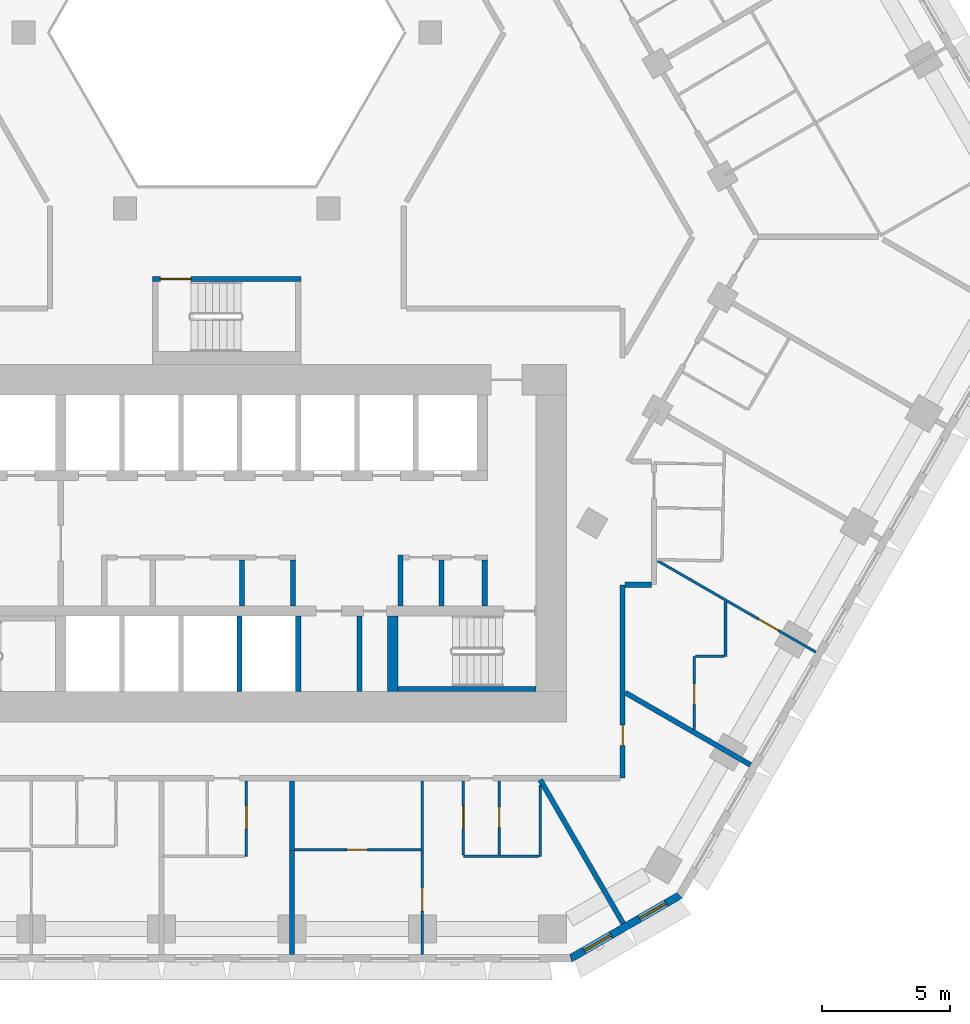
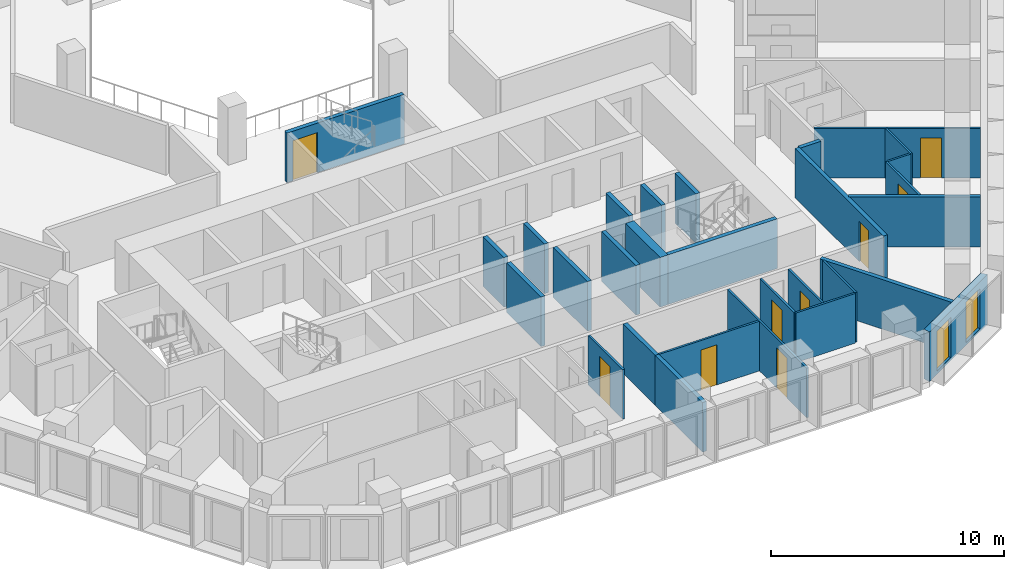
# One storey, part 6 of 21: 29 walls, 9 doors, 2 windows, 11 openings.
"""IFC4 building model written with IfcOpenShell, lengths in metres."""

from ifc_helpers import new_model, si_unit, direction, frame, frame_2d, origin, place, context, subcontext, project, spatial, polyline, rectangle, outline, extrude, material, layer, layer_set, type_object, element, fill, save


model = new_model("IFC4")

# Units and contexts
model_context = context("Model", 3, precision=1e-05, world=origin(), true_north=direction((0.0, 1.0)))
body_context = subcontext(model_context, "Body", "Model", "MODEL_VIEW")
ifc_project = project(units=[si_unit("LENGTHUNIT", "METRE"), si_unit("AREAUNIT", "SQUARE_METRE"), si_unit("VOLUMEUNIT", "CUBIC_METRE"), si_unit("PLANEANGLEUNIT", "RADIAN"), si_unit("MASSUNIT", "GRAM", prefix="KILO")], contexts=[model_context])

# Site, building, storey
site_placement = place(None, origin())
site = spatial("IfcSite", under=ifc_project, at=site_placement, CompositionType="ELEMENT")
building_placement = place(site_placement, origin())
building = spatial("IfcBuilding", under=site, at=building_placement, Name="Beryl Residences", CompositionType="ELEMENT")
storey_placement = place(building_placement, frame((0.0, 0.0, 59.39990234375)))
storey = spatial("IfcBuildingStorey", under=building, at=storey_placement, Name="L18", CompositionType="ELEMENT", Elevation=59.39990234375)

# Wall, openings, windows
ifc_material_1 = material(Name="Composite metal panel with mineral wool insulation")
ifc_layer_1 = layer(ifc_material_1, 0.300048828125)
ifc_layer_set_1 = layer_set([ifc_layer_1], Name="ES1 pale metal composite panel wall 300 mm")
wall_type_1 = type_object("IfcWallType", Name="ES1 pale metal composite panel wall 300 mm", PredefinedType="SOLIDWALL", material=ifc_layer_set_1)
wall_1_placement = place(storey_placement, frame((13.43505859375, -28.27001953125, 0.0), z_axis=(0.0, 0.0, 1.0), x_axis=(0.866010750942, 0.50002537861, 0.0)))
wall_1 = element("IfcWall", 1, at=wall_1_placement, inside=storey, type_object=wall_type_1, Name="ES1 external wall L18 S-SE", PredefinedType="SOLIDWALL", context=body_context, shape_type="SweptSolid", body=[
    extrude(outline(polyline([(0.0, -0.14990234375), (4.999755859375, -0.14990234375), (4.91943359375, 0.14990234375), (0.080322265625, 0.14990234375), (0.0, -0.14990234375)])), origin(), (0.0, 0.0, 1.0), 2.60009765625),
])
opening_1_placement = place(wall_1_placement, frame((0.64990234375, 0.0, 0.14990234375)))
opening_1 = element("IfcOpeningElement", 2, at=opening_1_placement, cuts=wall_1, Name="Opening W2", PredefinedType="OPENING", context=body_context, shape_type="SweptSolid", body=[
    extrude(rectangle(XDim=1.199951171875, YDim=2.10009765625, at=frame_2d((0.60009765625, 1.050048828125))), frame((0.0, 0.159912109375, 0.0), z_axis=(0.0, -1.0, 0.0), x_axis=(1.0, 0.0, 0.0)), (0.0, 0.0, 1.0), 0.320068359375),
])
opening_2_placement = place(wall_1_placement, frame((3.14892578125, 0.0, 0.14990234375)))
opening_2 = element("IfcOpeningElement", 3, at=opening_2_placement, cuts=wall_1, Name="Opening W2", PredefinedType="OPENING", context=body_context, shape_type="SweptSolid", body=[
    extrude(rectangle(XDim=1.199951171875, YDim=2.10009765625, at=frame_2d((0.60009765625, 1.050048828125))), frame((0.0, 0.159912109375, 0.0), z_axis=(0.0, -1.0, 0.0), x_axis=(1.0, 0.0, 0.0)), (0.0, 0.0, 1.0), 0.320068359375),
])
ifc_material_2 = material(Name="Aluminium and clear glass", Category="aluminium")
window_type = type_object("IfcWindowType", Name="W2 chamfer window 1200 x 2100 mm", PartitioningType="SINGLE_PANEL", PredefinedType="WINDOW", material=ifc_material_2)
window_1_placement = place(opening_1_placement, origin())
window_1 = element("IfcWindow", 4, at=window_1_placement, inside=storey, type_object=window_type, Name="W2 window L18 S-SE 1", OverallHeight=2.10009765625, OverallWidth=1.199951171875, PartitioningType="SINGLE_PANEL", PredefinedType="WINDOW", context=body_context, shape_type="SweptSolid", body=[
    extrude(rectangle(XDim=1.199951171875, YDim=2.10009765625, at=frame_2d((0.60009765625, 1.050048828125))), frame((0.0, 0.030029296875, 0.0), z_axis=(0.0, -1.0, 0.0), x_axis=(1.0, 0.0, 0.0)), (0.0, 0.0, 1.0), 0.06005859375),
])
fill(opening_1, window_1)
window_2_placement = place(opening_2_placement, origin())
window_2 = element("IfcWindow", 5, at=window_2_placement, inside=storey, type_object=window_type, Name="W2 window L18 S-SE 2", OverallHeight=2.10009765625, OverallWidth=1.199951171875, PartitioningType="SINGLE_PANEL", PredefinedType="WINDOW", context=body_context, shape_type="SweptSolid", body=[
    extrude(rectangle(XDim=1.199951171875, YDim=2.10009765625, at=frame_2d((0.60009765625, 1.050048828125))), frame((0.0, 0.030029296875, 0.0), z_axis=(0.0, -1.0, 0.0), x_axis=(1.0, 0.0, 0.0)), (0.0, 0.0, 1.0), 0.06005859375),
])
fill(opening_2, window_2)

# Wall, opening, door
ifc_material_3 = material(Name="Gypsum board partition on steel studs", Category="steel")
ifc_layer_2 = layer(ifc_material_3, 0.10009765625)
ifc_layer_set_2 = layer_set([ifc_layer_2], Name="PT1 partition 100 mm gypsum board on steel studs")
wall_type_2 = type_object("IfcWallType", Name="PT1 partition 100 mm gypsum board on steel studs", PredefinedType="PARTITIONING", material=ifc_layer_set_2)
wall_2_placement = place(storey_placement, frame((9.26611328125, -21.300048828125, 0.0), z_axis=(0.0, 0.0, 1.0), x_axis=(0.0, -1.0, 0.0)))
wall_2 = element("IfcWall", 6, at=wall_2_placement, inside=storey, type_object=wall_type_2, Name="Wall PT1 L18 013", PredefinedType="PARTITIONING", context=body_context, shape_type="SweptSolid", body=[
    extrude(rectangle(XDim=2.908935546875, YDim=0.10009765625, at=frame_2d((1.45458984375, 0.0))), origin(), (0.0, 0.0, 1.0), 2.60009765625),
])
opening_3_placement = place(wall_2_placement, frame((0.97998046875, 0.0, 0.0)))
opening_3 = element("IfcOpeningElement", 7, at=opening_3_placement, cuts=wall_2, Name="Opening D0366", PredefinedType="OPENING", context=body_context, shape_type="SweptSolid", body=[
    extrude(rectangle(XDim=0.89990234375, YDim=2.10009765625, at=frame_2d((0.449951171875, 1.050048828125))), frame((0.0, 0.06005859375, 0.0), z_axis=(0.0, -1.0, 0.0), x_axis=(1.0, 0.0, 0.0)), (0.0, 0.0, 1.0), 0.1201171875),
])
ifc_material_4 = material(Name="Timber door leaf", Category="wood")
door_type_1 = type_object("IfcDoorType", Name="D2 room door 900 x 2100 mm", OperationType="SINGLE_SWING_LEFT", PredefinedType="DOOR", material=ifc_material_4)
door_1_placement = place(opening_3_placement, origin())
door_1 = element("IfcDoor", 8, at=door_1_placement, inside=storey, type_object=door_type_1, Name="Door D0366 L18 001", OperationType="SINGLE_SWING_RIGHT", OverallHeight=2.10009765625, OverallWidth=0.89990234375, PredefinedType="DOOR", context=body_context, shape_type="SweptSolid", body=[
    extrude(rectangle(XDim=0.89990234375, YDim=2.10009765625, at=frame_2d((0.449951171875, 1.050048828125))), frame((0.0, 0.02490234375, 0.0), z_axis=(0.0, -1.0, 0.0), x_axis=(1.0, 0.0, 0.0)), (0.0, 0.0, 1.0), 0.050048828125),
])
fill(opening_3, door_1)

wall_3_placement = place(storey_placement, frame((16.8701171875, -12.68603515625, 0.0), z_axis=(0.0, 0.0, 1.0), x_axis=(0.866071826058, -0.499919585642, 0.0)))
wall_3 = element("IfcWall", 9, at=wall_3_placement, inside=storey, type_object=wall_type_2, Name="Wall PT1 L18 022", PredefinedType="PARTITIONING", context=body_context, shape_type="SweptSolid", body=[
    extrude(rectangle(XDim=7.147216796875, YDim=0.10009765625, at=frame_2d((3.57373046875, 0.0))), origin(), (0.0, 0.0, 1.0), 2.60009765625),
])
opening_4_placement = place(wall_3_placement, frame((4.55810546875, 0.0, 0.0)))
opening_4 = element("IfcOpeningElement", 10, at=opening_4_placement, cuts=wall_3, Name="Opening D0375", PredefinedType="OPENING", context=body_context, shape_type="SweptSolid", body=[
    extrude(rectangle(XDim=0.89990234375, YDim=2.10009765625, at=frame_2d((0.449951171875, 1.050048828125))), frame((0.0, 0.06005859375, 0.0), z_axis=(0.0, -1.0, 0.0), x_axis=(1.0, 0.0, 0.0)), (0.0, 0.0, 1.0), 0.1201171875),
])
door_2_placement = place(opening_4_placement, origin())
door_2 = element("IfcDoor", 11, at=door_2_placement, inside=storey, type_object=door_type_1, Name="Door D0375 L18 001", OperationType="SINGLE_SWING_LEFT", OverallHeight=2.10009765625, OverallWidth=0.89990234375, PredefinedType="DOOR", context=body_context, shape_type="SweptSolid", body=[
    extrude(rectangle(XDim=0.89990234375, YDim=2.10009765625, at=frame_2d((0.449951171875, 1.050048828125))), frame((0.0, 0.02490234375, 0.0), z_axis=(0.0, -1.0, 0.0), x_axis=(1.0, 0.0, 0.0)), (0.0, 0.0, 1.0), 0.050048828125),
])
fill(opening_4, door_2)

# Wall
wall_4_placement = place(storey_placement, frame((18.35009765625, -16.424072265625, 0.0), z_axis=(0.0, 0.0, 1.0), x_axis=(1.0, 0.0, 0.0)))
element("IfcWall", 12, at=wall_4_placement, inside=storey, type_object=wall_type_2, Name="Wall PT1 L18 031", PredefinedType="PARTITIONING", context=body_context, shape_type="SweptSolid", body=[
    extrude(rectangle(XDim=1.126953125, YDim=0.10009765625, at=frame_2d((0.5634765625, 0.0))), origin(), (0.0, 0.0, 1.0), 2.60009765625),
])

# Wall, opening, door
wall_5_placement = place(storey_placement, frame((2.653076171875, -24.0, 0.0), z_axis=(0.0, 0.0, 1.0), x_axis=(1.0, 0.0, 0.0)))
wall_5 = element("IfcWall", 13, at=wall_5_placement, inside=storey, type_object=wall_type_2, Name="Wall PT1 L18 034", PredefinedType="PARTITIONING", context=body_context, shape_type="SweptSolid", body=[
    extrude(rectangle(XDim=4.953857421875, YDim=0.10009765625, at=frame_2d((2.47705078125, 0.0))), origin(), (0.0, 0.0, 1.0), 2.60009765625),
])
opening_5_placement = place(wall_5_placement, frame((2.052001953125, 0.0, 0.0)))
opening_5 = element("IfcOpeningElement", 14, at=opening_5_placement, cuts=wall_5, Name="Opening D0369", PredefinedType="OPENING", context=body_context, shape_type="SweptSolid", body=[
    extrude(rectangle(XDim=0.800048828125, YDim=2.10009765625, at=frame_2d((0.39990234375, 1.050048828125))), frame((0.0, 0.06005859375, 0.0), z_axis=(0.0, -1.0, 0.0), x_axis=(1.0, 0.0, 0.0)), (0.0, 0.0, 1.0), 0.1201171875),
])
ifc_material_5 = material(Name="Timber door leaf", Category="wood")
door_type_2 = type_object("IfcDoorType", Name="D3 bathroom door 800 x 2100 mm", OperationType="SINGLE_SWING_LEFT", PredefinedType="DOOR", material=ifc_material_5)
door_3_placement = place(opening_5_placement, origin())
door_3 = element("IfcDoor", 15, at=door_3_placement, inside=storey, type_object=door_type_2, Name="Door D0369 L18 001", OperationType="SINGLE_SWING_LEFT", OverallHeight=2.10009765625, OverallWidth=0.800048828125, PredefinedType="DOOR", context=body_context, shape_type="SweptSolid", body=[
    extrude(rectangle(XDim=0.800048828125, YDim=2.10009765625, at=frame_2d((0.39990234375, 1.050048828125))), frame((0.0, 0.02490234375, 0.0), z_axis=(0.0, -1.0, 0.0), x_axis=(1.0, 0.0, 0.0)), (0.0, 0.0, 1.0), 0.050048828125),
])
fill(opening_5, door_3)

# Wall
wall_6_placement = place(storey_placement, frame((9.26708984375, -24.260009765625, 0.0), z_axis=(0.0, 0.0, 1.0), x_axis=(1.0, 0.0, 0.0)))
element("IfcWall", 16, at=wall_6_placement, inside=storey, type_object=wall_type_2, Name="Wall PT1 L18 036", PredefinedType="PARTITIONING", context=body_context, shape_type="SweptSolid", body=[
    extrude(rectangle(XDim=2.955810546875, YDim=0.10009765625, at=frame_2d((1.47802734375, 0.0))), origin(), (0.0, 0.0, 1.0), 2.60009765625),
])

# Wall, opening, door
wall_7_placement = place(storey_placement, frame((7.656982421875, -28.10009765625, 0.0), z_axis=(0.0, 0.0, 1.0), x_axis=(0.0, 1.0, 0.0)))
wall_7 = element("IfcWall", 17, at=wall_7_placement, inside=storey, type_object=wall_type_2, Name="Wall PT1 L18 052", PredefinedType="PARTITIONING", context=body_context, shape_type="SweptSolid", body=[
    extrude(rectangle(XDim=6.800048828125, YDim=0.10009765625, at=frame_2d((3.39990234375, 0.0))), origin(), (0.0, 0.0, 1.0), 2.60009765625),
])
opening_6_placement = place(wall_7_placement, frame((1.699951171875, 0.0, 0.0)))
opening_6 = element("IfcOpeningElement", 18, at=opening_6_placement, cuts=wall_7, Name="Opening D0368", PredefinedType="OPENING", context=body_context, shape_type="SweptSolid", body=[
    extrude(rectangle(XDim=0.89990234375, YDim=2.10009765625, at=frame_2d((0.449951171875, 1.050048828125))), frame((0.0, 0.06005859375, 0.0), z_axis=(0.0, -1.0, 0.0), x_axis=(1.0, 0.0, 0.0)), (0.0, 0.0, 1.0), 0.1201171875),
])
door_4_placement = place(opening_6_placement, origin())
door_4 = element("IfcDoor", 19, at=door_4_placement, inside=storey, type_object=door_type_1, Name="Door D0368 L18 001", OperationType="SINGLE_SWING_RIGHT", OverallHeight=2.10009765625, OverallWidth=0.89990234375, PredefinedType="DOOR", context=body_context, shape_type="SweptSolid", body=[
    extrude(rectangle(XDim=0.89990234375, YDim=2.10009765625, at=frame_2d((0.449951171875, 1.050048828125))), frame((0.0, 0.02490234375, 0.0), z_axis=(0.0, -1.0, 0.0), x_axis=(1.0, 0.0, 0.0)), (0.0, 0.0, 1.0), 0.050048828125),
])
fill(opening_6, door_4)

wall_8_placement = place(storey_placement, frame((0.76708984375, -24.259033203125, 0.0), z_axis=(0.0, 0.0, 1.0), x_axis=(0.0, 1.0, 0.0)))
wall_8 = element("IfcWall", 20, at=wall_8_placement, inside=storey, type_object=wall_type_2, Name="Wall PT1 L18 053", PredefinedType="PARTITIONING", context=body_context, shape_type="SweptSolid", body=[
    extrude(rectangle(XDim=2.958984375, YDim=0.10009765625, at=frame_2d((1.4794921875, 0.0))), origin(), (0.0, 0.0, 1.0), 2.60009765625),
])
opening_7_placement = place(wall_8_placement, frame((1.0791015625, 0.0, 0.0)))
opening_7 = element("IfcOpeningElement", 21, at=opening_7_placement, cuts=wall_8, Name="Opening D0363", PredefinedType="OPENING", context=body_context, shape_type="SweptSolid", body=[
    extrude(rectangle(XDim=0.89990234375, YDim=2.10009765625, at=frame_2d((0.449951171875, 1.050048828125))), frame((0.0, 0.06005859375, 0.0), z_axis=(0.0, -1.0, 0.0), x_axis=(1.0, 0.0, 0.0)), (0.0, 0.0, 1.0), 0.1201171875),
])
door_5_placement = place(opening_7_placement, origin())
door_5 = element("IfcDoor", 22, at=door_5_placement, inside=storey, type_object=door_type_1, Name="Door D0363 L18 001", OperationType="SINGLE_SWING_LEFT", OverallHeight=2.10009765625, OverallWidth=0.89990234375, PredefinedType="DOOR", context=body_context, shape_type="SweptSolid", body=[
    extrude(rectangle(XDim=0.89990234375, YDim=2.10009765625, at=frame_2d((0.449951171875, 1.050048828125))), frame((0.0, 0.02490234375, 0.0), z_axis=(0.0, -1.0, 0.0), x_axis=(1.0, 0.0, 0.0)), (0.0, 0.0, 1.0), 0.050048828125),
])
fill(opening_7, door_5)

wall_9_placement = place(storey_placement, frame((10.666015625, -24.2099609375, 0.0), z_axis=(0.0, 0.0, 1.0), x_axis=(0.0, 1.0, 0.0)))
wall_9 = element("IfcWall", 23, at=wall_9_placement, inside=storey, type_object=wall_type_2, Name="Wall PT1 L18 054", PredefinedType="PARTITIONING", context=body_context, shape_type="SweptSolid", body=[
    extrude(rectangle(XDim=2.909912109375, YDim=0.10009765625, at=frame_2d((1.455078125, 0.0))), origin(), (0.0, 0.0, 1.0), 2.60009765625),
])
opening_8_placement = place(wall_9_placement, frame((1.080078125, 0.0, 0.0)))
opening_8 = element("IfcOpeningElement", 24, at=opening_8_placement, cuts=wall_9, Name="Opening D0367", PredefinedType="OPENING", context=body_context, shape_type="SweptSolid", body=[
    extrude(rectangle(XDim=0.800048828125, YDim=2.10009765625, at=frame_2d((0.39990234375, 1.050048828125))), frame((0.0, 0.06005859375, 0.0), z_axis=(0.0, -1.0, 0.0), x_axis=(1.0, 0.0, 0.0)), (0.0, 0.0, 1.0), 0.1201171875),
])
door_6_placement = place(opening_8_placement, origin())
door_6 = element("IfcDoor", 25, at=door_6_placement, inside=storey, type_object=door_type_2, Name="Door D0367 L18 001", OperationType="SINGLE_SWING_LEFT", OverallHeight=2.10009765625, OverallWidth=0.800048828125, PredefinedType="DOOR", context=body_context, shape_type="SweptSolid", body=[
    extrude(rectangle(XDim=0.800048828125, YDim=2.10009765625, at=frame_2d((0.39990234375, 1.050048828125))), frame((0.0, 0.02490234375, 0.0), z_axis=(0.0, -1.0, 0.0), x_axis=(1.0, 0.0, 0.0)), (0.0, 0.0, 1.0), 0.050048828125),
])
fill(opening_8, door_6)

# Wall
wall_10_placement = place(storey_placement, frame((12.27392578125, -24.259033203125, 0.0), z_axis=(0.0, 0.0, 1.0), x_axis=(0.0, 1.0, 0.0)))
element("IfcWall", 26, at=wall_10_placement, inside=storey, type_object=wall_type_2, Name="Wall PT1 L18 055", PredefinedType="PARTITIONING", context=body_context, shape_type="SweptSolid", body=[
    extrude(rectangle(XDim=2.799072265625, YDim=0.10009765625, at=frame_2d((1.3994140625, 0.0))), origin(), (0.0, 0.0, 1.0), 2.60009765625),
])

# Wall, opening, door
wall_11_placement = place(storey_placement, frame((18.300048828125, -19.2890625, 0.0), z_axis=(0.0, 0.0, 1.0), x_axis=(0.0, 1.0, 0.0)))
wall_11 = element("IfcWall", 27, at=wall_11_placement, inside=storey, type_object=wall_type_2, Name="Wall PT1 L18 056", PredefinedType="PARTITIONING", context=body_context, shape_type="SweptSolid", body=[
    extrude(rectangle(XDim=2.864990234375, YDim=0.10009765625, at=frame_2d((1.4326171875, 0.0))), origin(), (0.0, 0.0, 1.0), 2.60009765625),
])
opening_9_placement = place(wall_11_placement, frame((0.97509765625, 0.0, 0.0)))
opening_9 = element("IfcOpeningElement", 28, at=opening_9_placement, cuts=wall_11, Name="Opening D0376", PredefinedType="OPENING", context=body_context, shape_type="SweptSolid", body=[
    extrude(rectangle(XDim=0.800048828125, YDim=2.10009765625, at=frame_2d((0.39990234375, 1.050048828125))), frame((0.0, 0.06005859375, 0.0), z_axis=(0.0, -1.0, 0.0), x_axis=(1.0, 0.0, 0.0)), (0.0, 0.0, 1.0), 0.1201171875),
])
door_7_placement = place(opening_9_placement, origin())
door_7 = element("IfcDoor", 29, at=door_7_placement, inside=storey, type_object=door_type_2, Name="Door D0376 L18 001", OperationType="SINGLE_SWING_RIGHT", OverallHeight=2.10009765625, OverallWidth=0.800048828125, PredefinedType="DOOR", context=body_context, shape_type="SweptSolid", body=[
    extrude(rectangle(XDim=0.800048828125, YDim=2.10009765625, at=frame_2d((0.39990234375, 1.050048828125))), frame((0.0, 0.02490234375, 0.0), z_axis=(0.0, -1.0, 0.0), x_axis=(1.0, 0.0, 0.0)), (0.0, 0.0, 1.0), 0.050048828125),
])
fill(opening_9, door_7)

# Walls
wall_12_placement = place(storey_placement, frame((19.528076171875, -16.423095703125, 0.0), z_axis=(0.0, 0.0, 1.0), x_axis=(0.0, 1.0, 0.0)))
element("IfcWall", 30, at=wall_12_placement, inside=storey, type_object=wall_type_2, Name="Wall PT1 L18 057", PredefinedType="PARTITIONING", context=body_context, shape_type="SweptSolid", body=[
    extrude(rectangle(XDim=2.14599609375, YDim=0.10009765625, at=frame_2d((1.072998046875, 0.0))), origin(), (0.0, 0.0, 1.0), 2.60009765625),
])
ifc_material_6 = material(Name="Concrete masonry", Category="masonry")
ifc_layer_3 = layer(ifc_material_6, 0.199951171875)
ifc_layer_set_3 = layer_set([ifc_layer_3], Name="PT13 lobby wall 200 mm")
wall_type_3 = type_object("IfcWallType", Name="PT13 lobby wall 200 mm", PredefinedType="PARTITIONING", material=ifc_layer_set_3)
wall_13_placement = place(storey_placement, frame((2.60009765625, -14.449951171875, 0.0), z_axis=(0.0, 0.0, 1.0), x_axis=(0.0, 1.0, 0.0)))
element("IfcWall", 31, at=wall_13_placement, inside=storey, type_object=wall_type_3, Name="Lobby wall 17", PredefinedType="PARTITIONING", context=body_context, shape_type="SweptSolid", body=[
    extrude(rectangle(XDim=1.800048828125, YDim=0.199951171875, at=frame_2d((0.89990234375, 0.0))), origin(), (0.0, 0.0, 1.0), 2.60009765625),
])
wall_14_placement = place(storey_placement, frame((6.800048828125, -14.449951171875, 0.0), z_axis=(0.0, 0.0, 1.0), x_axis=(0.0, 1.0, 0.0)))
element("IfcWall", 32, at=wall_14_placement, inside=storey, type_object=wall_type_3, Name="Lobby wall 23", PredefinedType="PARTITIONING", context=body_context, shape_type="SweptSolid", body=[
    extrude(rectangle(XDim=2.0, YDim=0.199951171875, at=frame_2d((1.0, 0.0))), origin(), (0.0, 0.0, 1.0), 2.60009765625),
])
wall_15_placement = place(storey_placement, frame((10.10009765625, -14.449951171875, 0.0), z_axis=(0.0, 0.0, 1.0), x_axis=(0.0, 1.0, 0.0)))
element("IfcWall", 33, at=wall_15_placement, inside=storey, type_object=wall_type_3, Name="Lobby wall 27", PredefinedType="PARTITIONING", context=body_context, shape_type="SweptSolid", body=[
    extrude(rectangle(XDim=1.800048828125, YDim=0.199951171875, at=frame_2d((0.89990234375, 0.0))), origin(), (0.0, 0.0, 1.0), 2.60009765625),
])
ifc_material_7 = material(Name="Acoustic double stud gypsum board wall")
ifc_layer_4 = layer(ifc_material_7, 0.199951171875)
ifc_layer_set_4 = layer_set([ifc_layer_4], Name="PT3 party wall 200 mm acoustic double stud")
wall_type_4 = type_object("IfcWallType", Name="PT3 party wall 200 mm acoustic double stud", PredefinedType="PARTITIONING", material=ifc_layer_set_4)
wall_16_placement = place(storey_placement, frame((12.27392578125, -21.260009765625, 0.0), z_axis=(0.0, 0.0, 1.0), x_axis=(0.500064857354, -0.865987955135, 0.0)))
element("IfcWall", 34, at=wall_16_placement, inside=storey, type_object=wall_type_4, Name="Wall PT3 L18 002", PredefinedType="PARTITIONING", context=body_context, shape_type="SweptSolid", body=[
    extrude(rectangle(XDim=6.501220703125, YDim=0.199951171875, at=frame_2d((3.25048828125, 0.0))), origin(), (0.0, 0.0, 1.0), 2.60009765625),
])
wall_17_placement = place(storey_placement, frame((2.552978515625, -21.300048828125, 0.0), z_axis=(0.0, 0.0, 1.0), x_axis=(0.0, -1.0, 0.0)))
element("IfcWall", 35, at=wall_17_placement, inside=storey, type_object=wall_type_4, Name="Wall PT3 L18 006", PredefinedType="PARTITIONING", context=body_context, shape_type="SweptSolid", body=[
    extrude(rectangle(XDim=2.719970703125, YDim=0.199951171875, at=frame_2d((1.35986328125, 0.0))), origin(), (0.0, 0.0, 1.0), 2.60009765625),
])
wall_18_placement = place(storey_placement, frame((15.60009765625, -17.845947265625, 0.0), z_axis=(0.0, 0.0, 1.0), x_axis=(0.866071523686, -0.499920109479, 0.0)))
element("IfcWall", 36, at=wall_18_placement, inside=storey, type_object=wall_type_4, Name="Wall PT3 L18 008", PredefinedType="PARTITIONING", context=body_context, shape_type="SweptSolid", body=[
    extrude(rectangle(XDim=5.6669921875, YDim=0.199951171875, at=frame_2d((2.83349609375, 0.0))), origin(), (0.0, 0.0, 1.0), 2.60009765625),
])
wall_19_placement = place(storey_placement, frame((2.552978515625, -28.10009765625, 0.0), z_axis=(0.0, 0.0, 1.0), x_axis=(0.0, 1.0, 0.0)))
element("IfcWall", 37, at=wall_19_placement, inside=storey, type_object=wall_type_4, Name="Wall PT3 L18 019", PredefinedType="PARTITIONING", context=body_context, shape_type="SweptSolid", body=[
    extrude(rectangle(XDim=4.1201171875, YDim=0.199951171875, at=frame_2d((2.06005859375, 0.0))), origin(), (0.0, 0.0, 1.0), 2.60009765625),
])
ifc_material_8 = material(Name="Double stud gypsum board wall")
ifc_layer_5 = layer(ifc_material_8, 0.199951171875)
ifc_layer_set_5 = layer_set([ifc_layer_5], Name="PT4 corridor wall 200 mm double stud")
wall_type_5 = type_object("IfcWallType", Name="PT4 corridor wall 200 mm double stud", PredefinedType="PARTITIONING", material=ifc_layer_set_5)
wall_20_placement = place(storey_placement, frame((15.60009765625, -13.6240234375, 0.0), z_axis=(0.0, 0.0, 1.0), x_axis=(1.0, 0.0, 0.0)))
element("IfcWall", 38, at=wall_20_placement, inside=storey, type_object=wall_type_5, Name="Wall PT4 L18 010", PredefinedType="PARTITIONING", context=body_context, shape_type="SweptSolid", body=[
    extrude(rectangle(XDim=1.02685546875, YDim=0.199951171875, at=frame_2d((0.513427734375, 0.0))), origin(), (0.0, 0.0, 1.0), 2.60009765625),
])

# Wall, opening, door
wall_21_placement = place(storey_placement, frame((15.5, -21.198974609375, 0.0), z_axis=(0.0, 0.0, 1.0), x_axis=(0.0, 1.0, 0.0)))
wall_21 = element("IfcWall", 39, at=wall_21_placement, inside=storey, type_object=wall_type_5, Name="Wall PT4 L18 026", PredefinedType="PARTITIONING", context=body_context, shape_type="SweptSolid", body=[
    extrude(rectangle(XDim=7.574951171875, YDim=0.199951171875, at=frame_2d((3.78759765625, 0.0))), origin(), (0.0, 0.0, 1.0), 2.60009765625),
])
opening_10_placement = place(wall_21_placement, frame((1.2880859375, 0.0, 0.0)))
opening_10 = element("IfcOpeningElement", 40, at=opening_10_placement, cuts=wall_21, Name="Opening D0370", PredefinedType="OPENING", context=body_context, shape_type="SweptSolid", body=[
    extrude(rectangle(XDim=0.800048828125, YDim=2.10009765625, at=frame_2d((0.39990234375, 1.050048828125))), frame((0.0, 0.10986328125, 0.0), z_axis=(0.0, -1.0, 0.0), x_axis=(1.0, 0.0, 0.0)), (0.0, 0.0, 1.0), 0.219970703125),
])
door_8_placement = place(opening_10_placement, origin())
door_8 = element("IfcDoor", 41, at=door_8_placement, inside=storey, type_object=door_type_2, Name="Door D0370 L18 001", OperationType="SINGLE_SWING_RIGHT", OverallHeight=2.10009765625, OverallWidth=0.800048828125, PredefinedType="DOOR", context=body_context, shape_type="SweptSolid", body=[
    extrude(rectangle(XDim=0.800048828125, YDim=2.10009765625, at=frame_2d((0.39990234375, 1.050048828125))), frame((0.0, 0.02490234375, 0.0), z_axis=(0.0, -1.0, 0.0), x_axis=(1.0, 0.0, 0.0)), (0.0, 0.0, 1.0), 0.050048828125),
])
fill(opening_10, door_8)

ifc_material_9 = material(Name="Concrete C40/50", Category="concrete")
ifc_layer_6 = layer(ifc_material_9, 0.199951171875)
ifc_layer_set_6 = layer_set([ifc_layer_6], Name="PT5 stair enclosure wall 200 mm reinforced concrete C40/50")
wall_type_6 = type_object("IfcWallType", Name="PT5 stair enclosure wall 200 mm reinforced concrete C40/50", PredefinedType="SOLIDWALL", material=ifc_layer_set_6)
wall_22_placement = place(storey_placement, frame((-2.89990234375, -1.64990234375, 0.0), z_axis=(0.0, 0.0, 1.0), x_axis=(1.0, 0.0, 0.0)))
wall_22 = element("IfcWall", 42, at=wall_22_placement, inside=storey, type_object=wall_type_6, Name="Wall PT5 L18 001", PredefinedType="SOLIDWALL", context=body_context, shape_type="SweptSolid", body=[
    extrude(rectangle(XDim=5.7998046875, YDim=0.199951171875, at=frame_2d((2.89990234375, 0.0))), origin(), (0.0, 0.0, 1.0), 2.60009765625),
])
opening_11_placement = place(wall_22_placement, frame((0.300048828125, 0.0, 0.0)))
opening_11 = element("IfcOpeningElement", 43, at=opening_11_placement, cuts=wall_22, Name="Opening DS04", PredefinedType="OPENING", context=body_context, shape_type="SweptSolid", body=[
    extrude(rectangle(XDim=1.199951171875, YDim=2.10009765625, at=frame_2d((0.60009765625, 1.050048828125))), frame((0.0, 0.10986328125, 0.0), z_axis=(0.0, -1.0, 0.0), x_axis=(1.0, 0.0, 0.0)), (0.0, 0.0, 1.0), 0.219970703125),
])
ifc_material_10 = material(Name="Steel door leaf in steel frame", Category="steel")
door_type_3 = type_object("IfcDoorType", Name="D4 stair door 1200 x 2100 mm", OperationType="SINGLE_SWING_LEFT", PredefinedType="DOOR", material=ifc_material_10)
door_9_placement = place(opening_11_placement, origin())
door_9 = element("IfcDoor", 44, at=door_9_placement, inside=storey, type_object=door_type_3, Name="Door DS04 L18 001", OperationType="SINGLE_SWING_LEFT", OverallHeight=2.10009765625, OverallWidth=1.199951171875, PredefinedType="DOOR", context=body_context, shape_type="SweptSolid", body=[
    extrude(rectangle(XDim=1.199951171875, YDim=2.10009765625, at=frame_2d((0.60009765625, 1.050048828125))), frame((0.0, 0.02490234375, 0.0), z_axis=(0.0, -1.0, 0.0), x_axis=(1.0, 0.0, 0.0)), (0.0, 0.0, 1.0), 0.050048828125),
])
fill(opening_11, door_9)

# Walls
wall_23_placement = place(storey_placement, frame((6.699951171875, -17.699951171875, 0.0), z_axis=(0.0, 0.0, 1.0), x_axis=(1.0, 0.0, 0.0)))
element("IfcWall", 45, at=wall_23_placement, inside=storey, type_object=wall_type_6, Name="Stair wall 22", PredefinedType="SOLIDWALL", context=body_context, shape_type="SweptSolid", body=[
    extrude(rectangle(XDim=5.400146484375, YDim=0.199951171875, at=frame_2d((2.7001953125, 0.0))), origin(), (0.0, 0.0, 1.0), 2.60009765625),
])
ifc_material_11 = material(Name="Concrete C40/50", Category="concrete")
ifc_layer_7 = layer(ifc_material_11, 0.199951171875)
ifc_layer_set_7 = layer_set([ifc_layer_7], Name="PT6 lift shaft wall 200 mm reinforced concrete C40/50")
wall_type_7 = type_object("IfcWallType", Name="PT6 lift shaft wall 200 mm reinforced concrete C40/50", PredefinedType="SOLIDWALL", material=ifc_layer_set_7)
for number, where, z_axis, x_axis, name in (
    (46, (0.5, -17.800048828125, 0.0), (0.0, 0.0, 1.0), (0.0, 1.0, 0.0), "Lift shaft wall 14"),
    (47, (2.800048828125, -17.800048828125, 0.0), (0.0, 0.0, 1.0), (0.0, 1.0, 0.0), "Lift shaft wall 18"),
):
    element("IfcWall", number, at=place(storey_placement, frame(where, z_axis=z_axis, x_axis=x_axis)), inside=storey, type_object=wall_type_7, Name=name, PredefinedType="SOLIDWALL", context=body_context, shape_type="SweptSolid", body=[
        extrude(rectangle(XDim=2.949951171875, YDim=0.199951171875, at=frame_2d((1.47509765625, 0.0))), origin(), (0.0, 0.0, 1.0), 2.60009765625),
    ])
ifc_material_12 = material(Name="Concrete masonry", Category="masonry")
ifc_layer_8 = layer(ifc_material_12, 0.199951171875)
ifc_layer_set_8 = layer_set([ifc_layer_8], Name="PT7-200 riser wall 200 mm")
wall_type_8 = type_object("IfcWallType", Name="PT7-200 riser wall 200 mm", PredefinedType="PARTITIONING", material=ifc_layer_set_8)
wall_24_placement = place(storey_placement, frame((5.199951171875, -17.800048828125, 0.0), z_axis=(0.0, 0.0, 1.0), x_axis=(0.0, 1.0, 0.0)))
element("IfcWall", 48, at=wall_24_placement, inside=storey, type_object=wall_type_8, Name="Riser wall 21", PredefinedType="PARTITIONING", context=body_context, shape_type="SweptSolid", body=[
    extrude(rectangle(XDim=2.949951171875, YDim=0.199951171875, at=frame_2d((1.47509765625, 0.0))), origin(), (0.0, 0.0, 1.0), 2.60009765625),
])
ifc_material_13 = material(Name="Concrete masonry", Category="masonry")
ifc_layer_9 = layer(ifc_material_13, 0.199951171875)
ifc_layer_set_9 = layer_set([ifc_layer_9], Name="PT8-200 service room wall 200 mm")
wall_type_9 = type_object("IfcWallType", Name="PT8-200 service room wall 200 mm", PredefinedType="PARTITIONING", material=ifc_layer_set_9)
for number, where, z_axis, x_axis, name in (
    (49, (0.60009765625, -14.449951171875, 0.0), (0.0, 0.0, 1.0), (0.0, 1.0, 0.0), "Core room wall 16"),
    (50, (8.39990234375, -14.449951171875, 0.0), (0.0, 0.0, 1.0), (0.0, 1.0, 0.0), "Core room wall 26"),
):
    element("IfcWall", number, at=place(storey_placement, frame(where, z_axis=z_axis, x_axis=x_axis)), inside=storey, type_object=wall_type_9, Name=name, PredefinedType="PARTITIONING", context=body_context, shape_type="SweptSolid", body=[
        extrude(rectangle(XDim=1.800048828125, YDim=0.199951171875, at=frame_2d((0.89990234375, 0.0))), origin(), (0.0, 0.0, 1.0), 2.60009765625),
    ])
ifc_material_14 = material(Name="Concrete C80/95", Category="concrete")
ifc_layer_10 = layer(ifc_material_14, 0.39990234375)
ifc_layer_set_10 = layer_set([ifc_layer_10], Name="SW6 core internal wall 400 mm C80/95")
wall_type_10 = type_object("IfcWallType", Name="SW6 core internal wall 400 mm C80/95", PredefinedType="SHEAR", material=ifc_layer_set_10)
wall_25_placement = place(storey_placement, frame((6.5, -17.800048828125, 0.0), z_axis=(0.0, 0.0, 1.0), x_axis=(0.0, 1.0, 0.0)))
element("IfcWall", 51, at=wall_25_placement, inside=storey, type_object=wall_type_10, Name="Core wall XS2 L18", PredefinedType="SHEAR", context=body_context, shape_type="SweptSolid", body=[
    extrude(rectangle(XDim=2.949951171875, YDim=0.39990234375, at=frame_2d((1.47509765625, 0.0))), origin(), (0.0, 0.0, 1.0), 2.60009765625),
])

save(model, "model.ifc")
